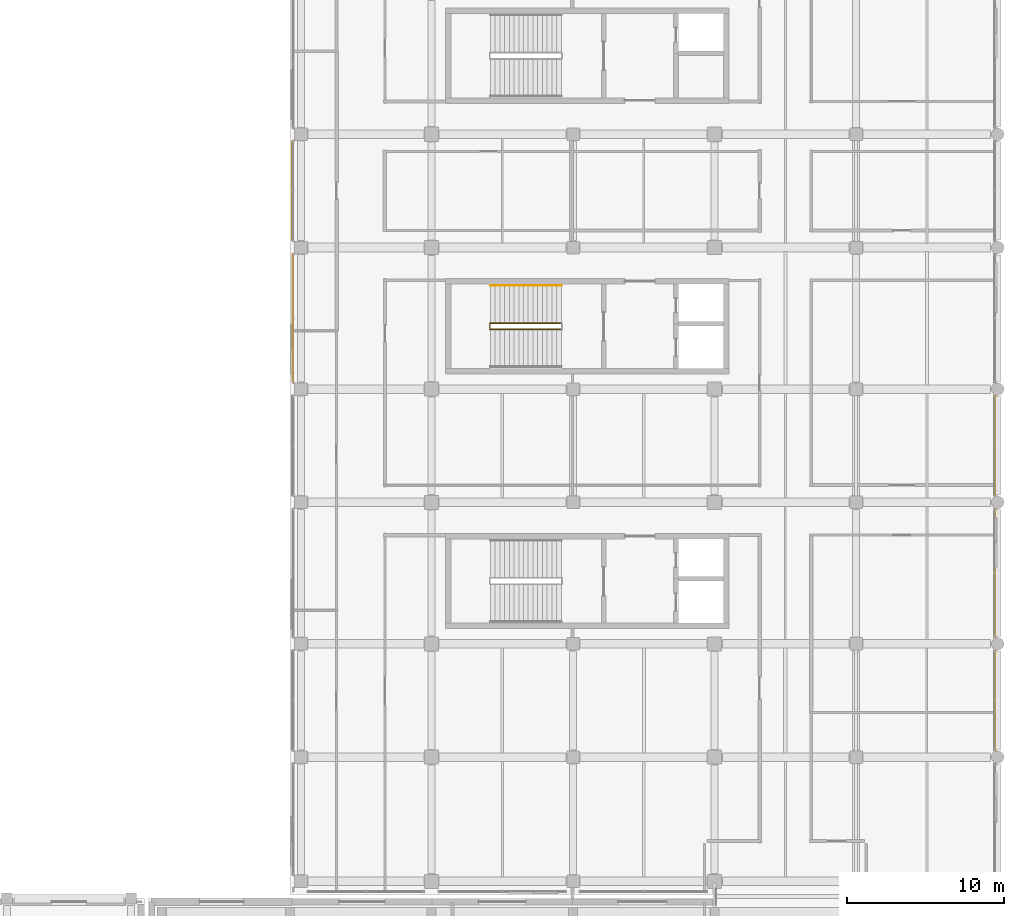
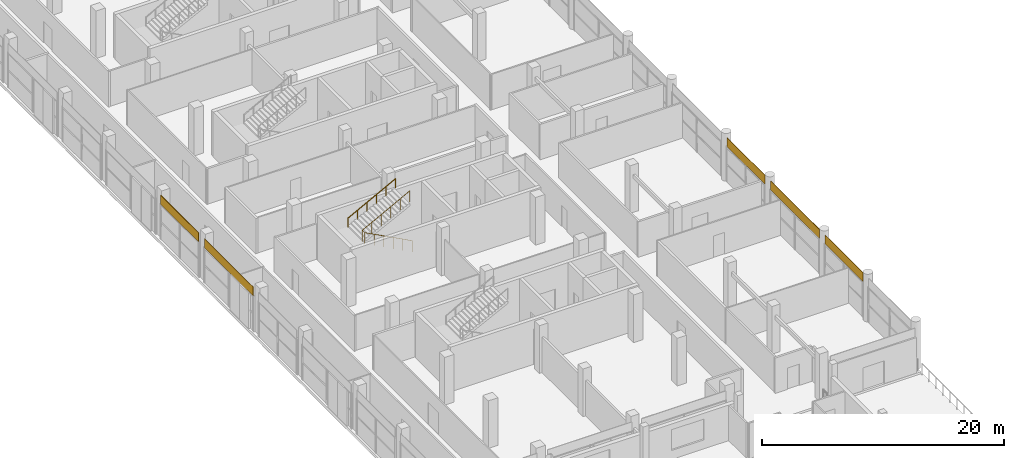
# One storey, part 103 of 111: 5 coverings, 2 railings.
"""IFC4 building model written with IfcOpenShell, lengths in metres."""

from ifc_helpers import new_model, si_unit, direction, frame, origin, origin_2d, place, context, subcontext, project, spatial, rectangle, circle, extrude, material, layer, layer_set, type_object, element, save


model = new_model("IFC4")

# Units and contexts
model_context = context("Model", 3, precision=1e-05, world=origin(), true_north=direction((0.0, 1.0)))
body_context = subcontext(model_context, "Body", "Model", "MODEL_VIEW")
ifc_project = project(units=[si_unit("LENGTHUNIT", "METRE"), si_unit("AREAUNIT", "SQUARE_METRE"), si_unit("VOLUMEUNIT", "CUBIC_METRE"), si_unit("PLANEANGLEUNIT", "RADIAN"), si_unit("MASSUNIT", "GRAM", prefix="KILO"), si_unit("THERMODYNAMICTEMPERATUREUNIT", "KELVIN"), si_unit("POWERUNIT", "WATT")], contexts=[model_context])

# Site, building, storey
site_placement = place(None, origin())
site = spatial("IfcSite", under=ifc_project, at=site_placement, CompositionType="ELEMENT")
building_placement = place(site_placement, origin())
building = spatial("IfcBuilding", under=site, at=building_placement, Name="Sindhuravela Promenade Stadium", CompositionType="ELEMENT")
storey_placement = place(building_placement, frame((0.0, 0.0, 9.60009765625)))
storey = spatial("IfcBuildingStorey", under=building, at=storey_placement, Name="L02", CompositionType="ELEMENT", Elevation=9.60009765625)

# Coverings
ifc_material_1 = material(Name="Polychrome trencadis ceramic mosaic", Category="masonry")
ifc_layer_1 = layer(ifc_material_1, 0.034912109375)
ifc_layer_set_1 = layer_set([ifc_layer_1], Name="Polychrome trencadis ceramic mosaic")
covering_type_1 = type_object("IfcCoveringType", Name="CV-TRENC-1", PredefinedType="CLADDING", material=ifc_layer_set_1)
covering_1_placement = place(storey_placement, frame((171.179931640625, 72.89990234375, 3.5546875), z_axis=(0.0, 0.0, 1.0), x_axis=(0.0, 1.0, 0.0)))
element("IfcCovering", 1, at=covering_1_placement, inside=storey, type_object=covering_type_1, Name="Trencadis ceramic mosaic spandrel frieze EAST L02-174", PredefinedType="CLADDING", context=body_context, shape_type="SweptSolid", body=[
    extrude(rectangle(XDim=8.070068359375, YDim=0.034912109375, at=origin_2d()), origin(), (0.0, 0.0, 1.0), 0.905029296875),
])
for number, where, z_axis, x_axis, name in (
    (2, (215.820068359375, 64.800048828125, 3.5546875), (0.0, 0.0, 1.0), (0.0, -1.0, 0.0), "Trencadis ceramic mosaic spandrel frieze EAST L02-192"),
    (3, (215.820068359375, 48.60009765625, 3.5546875), (0.0, 0.0, 1.0), (0.0, -1.0, 0.0), "Trencadis ceramic mosaic spandrel frieze EAST L02-194"),
):
    element("IfcCovering", number, at=place(storey_placement, frame(where, z_axis=z_axis, x_axis=x_axis)), inside=storey, type_object=covering_type_1, Name=name, PredefinedType="CLADDING", context=body_context, shape_type="SweptSolid", body=[
        extrude(rectangle(XDim=6.27001953125, YDim=0.034912109375, at=origin_2d()), origin(), (0.0, 0.0, 1.0), 0.905029296875),
    ])
ifc_layer_2 = layer(ifc_material_1, 0.050048828125)
ifc_layer_set_2 = layer_set([ifc_layer_2], Name="Polychrome trencadis ceramic mosaic")
covering_type_2 = type_object("IfcCoveringType", Name="CV-TRENC-2", PredefinedType="CLADDING", material=ifc_layer_set_2)
covering_2_placement = place(storey_placement, frame((171.179931640625, 81.0, 3.5546875), z_axis=(0.0, 0.0, 1.0), x_axis=(0.0, 1.0, 0.0)))
element("IfcCovering", 4, at=covering_2_placement, inside=storey, type_object=covering_type_2, Name="Trencadis ceramic mosaic spandrel frieze EAST L02-175", PredefinedType="CLADDING", context=body_context, shape_type="SweptSolid", body=[
    extrude(rectangle(XDim=6.27001953125, YDim=0.050048828125, at=origin_2d()), origin(), (0.0, 0.0, 1.0), 0.905029296875),
])
covering_3_placement = place(storey_placement, frame((215.820068359375, 56.699951171875, 3.5546875), z_axis=(0.0, 0.0, 1.0), x_axis=(0.0, -1.0, 0.0)))
element("IfcCovering", 5, at=covering_3_placement, inside=storey, type_object=covering_type_2, Name="Trencadis ceramic mosaic spandrel frieze EAST L02-193", PredefinedType="CLADDING", context=body_context, shape_type="SweptSolid", body=[
    extrude(rectangle(XDim=8.070068359375, YDim=0.050048828125, at=origin_2d()), origin(), (0.0, 0.0, 1.0), 0.905029296875),
])

# Railings
ifc_material_2 = material(Name="Architectural wrought steel E350", Category="steel")
railing_type_1 = type_object("IfcRailingType", Name="RL-GRD-1150", PredefinedType="GUARDRAIL", material=ifc_material_2)
railing_1_placement = place(storey_placement, frame((188.25, 72.2099609375, 0.0)))
element("IfcRailing", 6, at=railing_1_placement, inside=storey, type_object=railing_type_1, Name="Stair ST06 inner well guard (L02)", PredefinedType="GUARDRAIL", context=body_context, shape_type="SweptSolid", body=[
    extrude(circle(Radius=0.02392578125, at=origin_2d()), frame((0.0, 0.0, 1.1259765625), z_axis=(-0.8836546633431795, 0.0, 0.46813933390802775), x_axis=(0.0, -1.0, 0.0)), (0.0, 0.0, 1.0), 5.12646484375),
    extrude(circle(Radius=0.02392578125, at=origin_2d()), frame((-4.530029296875, 0.0, 3.52587890625), z_axis=(0.0, 1.0, 0.0), x_axis=(-1.0, 0.0, 0.0)), (0.0, 0.0, 1.0), 0.380126953125),
    extrude(circle(Radius=0.02392578125, at=origin_2d()), frame((-4.530029296875, 0.380126953125, 3.52587890625), z_axis=(0.8836546633431795, 0.0, 0.46813933390802775), x_axis=(0.0, 1.0, 0.0)), (0.0, 0.0, 1.0), 5.12646484375),
    extrude(circle(Radius=0.02099609375, at=origin_2d()), origin(), (0.0, 0.0, 1.0), 1.101806640625),
    extrude(circle(Radius=0.02099609375, at=origin_2d()), frame((-0.906005859375, 0.0, 0.47998046875)), (0.0, 0.0, 1.0), 1.101806640625),
    extrude(circle(Radius=0.02099609375, at=origin_2d()), frame((-1.81201171875, 0.0, 0.9599609375)), (0.0, 0.0, 1.0), 1.101806640625),
    extrude(circle(Radius=0.02099609375, at=origin_2d()), frame((-2.718017578125, 0.0, 1.43994140625)), (0.0, 0.0, 1.0), 1.101806640625),
    extrude(circle(Radius=0.02099609375, at=origin_2d()), frame((-3.6240234375, 0.0, 1.919921875)), (0.0, 0.0, 1.0), 1.101806640625),
    extrude(circle(Radius=0.02099609375, at=origin_2d()), frame((-4.530029296875, 0.0, 2.39990234375)), (0.0, 0.0, 1.0), 1.101806640625),
    extrude(circle(Radius=0.02099609375, at=origin_2d()), frame((-4.530029296875, 0.380126953125, 2.39990234375)), (0.0, 0.0, 1.0), 1.101806640625),
    extrude(circle(Radius=0.02099609375, at=origin_2d()), frame((-3.6240234375, 0.380126953125, 2.8798828125)), (0.0, 0.0, 1.0), 1.101806640625),
    extrude(circle(Radius=0.02099609375, at=origin_2d()), frame((-2.718017578125, 0.380126953125, 3.35986328125)), (0.0, 0.0, 1.0), 1.101806640625),
    extrude(circle(Radius=0.02099609375, at=origin_2d()), frame((-1.81201171875, 0.380126953125, 3.83984375)), (0.0, 0.0, 1.0), 1.101806640625),
    extrude(circle(Radius=0.02099609375, at=origin_2d()), frame((-0.906005859375, 0.380126953125, 4.31982421875)), (0.0, 0.0, 1.0), 1.101806640625),
    extrude(circle(Radius=0.02099609375, at=origin_2d()), frame((0.0, 0.380126953125, 4.7998046875)), (0.0, 0.0, 1.0), 1.101806640625),
])
railing_type_2 = type_object("IfcRailingType", Name="RL-HND-920", PredefinedType="HANDRAIL", material=ifc_material_2)
railing_2_placement = place(storey_placement, frame((183.75, 74.97998046875, 2.39990234375)))
element("IfcRailing", 7, at=railing_2_placement, inside=storey, type_object=railing_type_2, Name="Stair ST06 upper wall handrail (L02)", PredefinedType="HANDRAIL", context=body_context, shape_type="SweptSolid", body=[
    extrude(circle(Radius=0.02392578125, at=origin_2d()), frame((0.0, 0.0, 0.89599609375), z_axis=(0.8823608919668723, 0.0, 0.4705733272588083), x_axis=(0.0, 1.0, 0.0)), (0.0, 0.0, 1.0), 5.099853515625),
    extrude(circle(Radius=0.02099609375, at=origin_2d()), origin(), (0.0, 0.0, 1.0), 0.871826171875),
    extrude(circle(Radius=0.02099609375, at=origin_2d()), frame((0.89990234375, 0.0, 0.47998046875)), (0.0, 0.0, 1.0), 0.871826171875),
    extrude(circle(Radius=0.02099609375, at=origin_2d()), frame((1.800048828125, 0.0, 0.9599609375)), (0.0, 0.0, 1.0), 0.871826171875),
    extrude(circle(Radius=0.02099609375, at=origin_2d()), frame((2.699951171875, 0.0, 1.43994140625)), (0.0, 0.0, 1.0), 0.871826171875),
    extrude(circle(Radius=0.02099609375, at=origin_2d()), frame((3.60009765625, 0.0, 1.919921875)), (0.0, 0.0, 1.0), 0.871826171875),
    extrude(circle(Radius=0.02099609375, at=origin_2d()), frame((4.5, 0.0, 2.39990234375)), (0.0, 0.0, 1.0), 0.871826171875),
])

save(model, "model.ifc")
